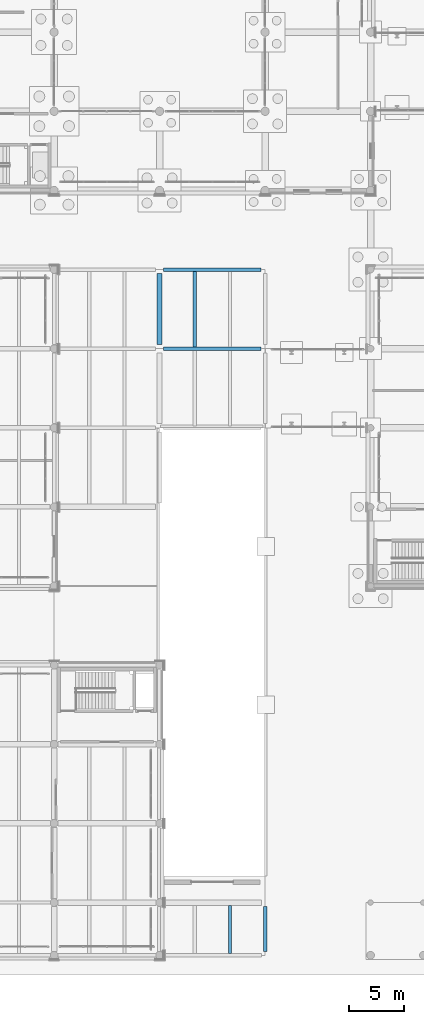
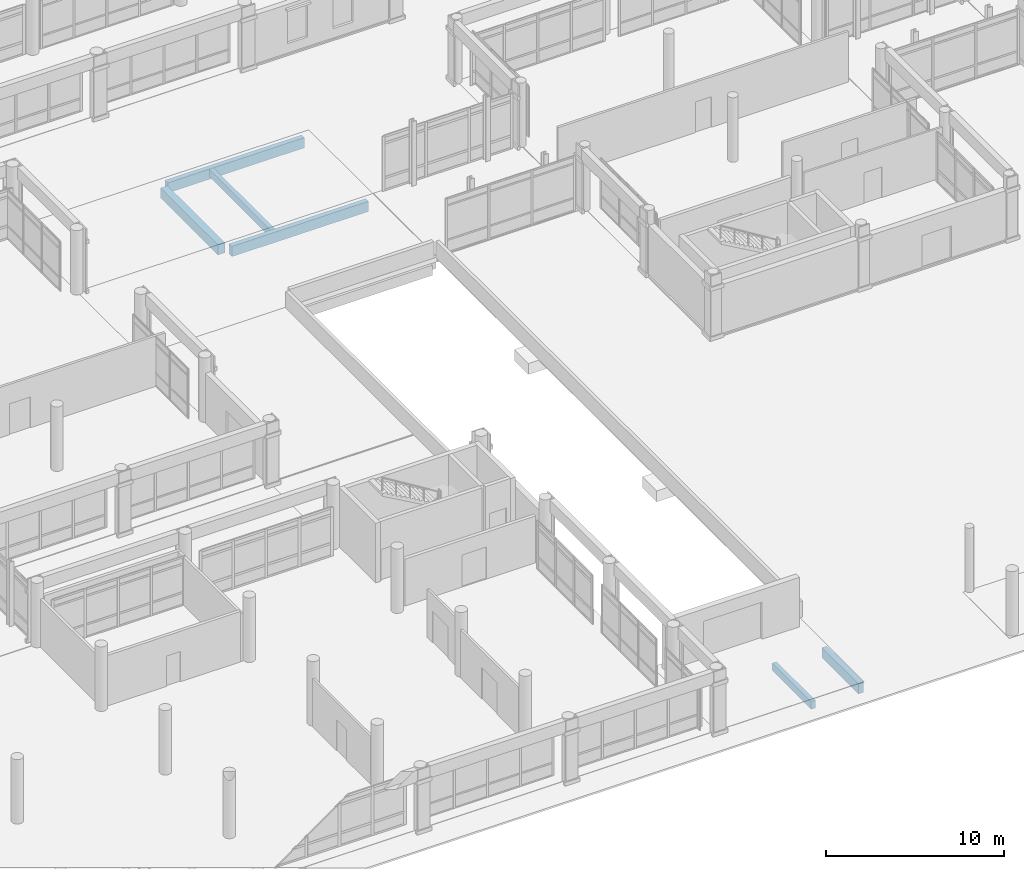
# One storey, part 67 of 196: 6 beams.
"""IFC4 building model written with IfcOpenShell, lengths in metres."""

from ifc_helpers import new_model, si_unit, direction, frame, origin, origin_2d, place, context, subcontext, project, spatial, rectangle, extrude, material, material_profile, profile_set, type_object, element, save


model = new_model("IFC4")

# Units and contexts
model_context = context("Model", 3, precision=1e-05, world=origin(), true_north=direction((0.0, 1.0)))
body_context = subcontext(model_context, "Body", "Model", "MODEL_VIEW")
ifc_project = project(units=[si_unit("LENGTHUNIT", "METRE"), si_unit("AREAUNIT", "SQUARE_METRE"), si_unit("VOLUMEUNIT", "CUBIC_METRE"), si_unit("PLANEANGLEUNIT", "RADIAN"), si_unit("MASSUNIT", "GRAM", prefix="KILO")], contexts=[model_context])

# Site, building, storey
site_placement = place(None, origin())
site = spatial("IfcSite", under=ifc_project, at=site_placement, CompositionType="ELEMENT")
building_placement = place(site_placement, origin())
building = spatial("IfcBuilding", under=site, at=building_placement, Name="Asteropetra Specialist Clinic", CompositionType="ELEMENT")
storey_placement = place(building_placement, origin())
storey = spatial("IfcBuildingStorey", under=building, at=storey_placement, Name="L00", CompositionType="ELEMENT", Elevation=0.0)

# Beams
ifc_material_1 = material(Name="Concrete C35/45", Category="concrete")
ifc_material_profile_1 = material_profile(ifc_material_1, rectangle(XDim=0.449951171875, YDim=0.699951171875, at=origin_2d()), Name="RCB 450x700")
ifc_profile_set_1 = profile_set([ifc_material_profile_1], Name="Concrete C35/45")
beam_type_1 = type_object("IfcBeamType", Name="BM-RC450x700", PredefinedType="BEAM", material=ifc_profile_set_1)
beam_1_placement = place(storey_placement, frame((57.60009765625, 55.574951171875, -0.659912109375), z_axis=(0.0, 1.0, 0.0), x_axis=(-1.0, 0.0, 0.0)))
element("IfcBeam", 1, at=beam_1_placement, inside=storey, type_object=beam_type_1, Name="Beam BBM05-0127", PredefinedType="BEAM", context=body_context, shape_type="SweptSolid", body=[
    extrude(rectangle(XDim=0.449951171875, YDim=0.699951171875, at=origin_2d()), origin(), (0.0, 0.0, 1.0), 6.449951171875),
])
ifc_material_2 = material(Name="Concrete C35/45", Category="concrete")
ifc_material_profile_2 = material_profile(ifc_material_2, rectangle(XDim=0.280029296875, YDim=0.52001953125, at=origin_2d()), Name="RCJ 280x520")
ifc_profile_set_2 = profile_set([ifc_material_profile_2], Name="Concrete C35/45")
beam_type_2 = type_object("IfcBeamType", Name="JST-RC280x520", PredefinedType="JOIST", material=ifc_profile_set_2)
beam_2_placement = place(storey_placement, frame((64.0, 0.159912109375, -0.570068359375), z_axis=(0.0, 1.0, 0.0), x_axis=(-1.0, 0.0, 0.0)))
element("IfcBeam", 2, at=beam_2_placement, inside=storey, type_object=beam_type_2, Name="Joist JJST01-0107", PredefinedType="JOIST", context=body_context, shape_type="SweptSolid", body=[
    extrude(rectangle(XDim=0.280029296875, YDim=0.52001953125, at=origin_2d()), origin(), (0.0, 0.0, 1.0), 4.39013671875),
])
beam_3_placement = place(storey_placement, frame((60.800048828125, 55.360107421875, -0.570068359375), z_axis=(0.0, 1.0, 0.0), x_axis=(-1.0, 0.0, 0.0)))
element("IfcBeam", 3, at=beam_3_placement, inside=storey, type_object=beam_type_2, Name="Joist JJST01-0131", PredefinedType="JOIST", context=body_context, shape_type="SweptSolid", body=[
    extrude(rectangle(XDim=0.280029296875, YDim=0.52001953125, at=origin_2d()), origin(), (0.0, 0.0, 1.0), 6.8798828125),
])
ifc_material_3 = material(Name="Concrete C35/45", Category="concrete")
ifc_material_profile_3 = material_profile(ifc_material_3, rectangle(XDim=0.320068359375, YDim=0.699951171875, at=origin_2d()), Name="RCS 320x700")
ifc_profile_set_3 = profile_set([ifc_material_profile_3], Name="Concrete C35/45")
beam_type_3 = type_object("IfcBeamType", Name="SPN-RC320x700", PredefinedType="SPANDREL", material=ifc_profile_set_3)
beam_4_placement = place(storey_placement, frame((67.199951171875, 0.35009765625, -0.659912109375), z_axis=(0.0, 1.0, 0.0), x_axis=(-1.0, 0.0, 0.0)))
element("IfcBeam", 4, at=beam_4_placement, inside=storey, type_object=beam_type_3, Name="Beam BSPN02-0105", PredefinedType="SPANDREL", context=body_context, shape_type="SweptSolid", body=[
    extrude(rectangle(XDim=0.320068359375, YDim=0.699951171875, at=origin_2d()), origin(), (0.0, 0.0, 1.0), 4.099853515625),
])
for number, where, z_axis, x_axis, name in (
    (5, (57.97509765625, 55.199951171875, -0.659912109375), (1.0, 0.0, 0.0), (0.0, 1.0, 0.0), "Beam BSPN02-0116"),
    (6, (57.97509765625, 62.39990234375, -0.659912109375), (1.0, 0.0, 0.0), (0.0, 1.0, 0.0), "Beam BSPN02-0125"),
):
    element("IfcBeam", number, at=place(storey_placement, frame(where, z_axis=z_axis, x_axis=x_axis)), inside=storey, type_object=beam_type_3, Name=name, PredefinedType="SPANDREL", context=body_context, shape_type="SweptSolid", body=[
        extrude(rectangle(XDim=0.320068359375, YDim=0.699951171875, at=origin_2d()), origin(), (0.0, 0.0, 1.0), 8.849853515625),
    ])

save(model, "model.ifc")
